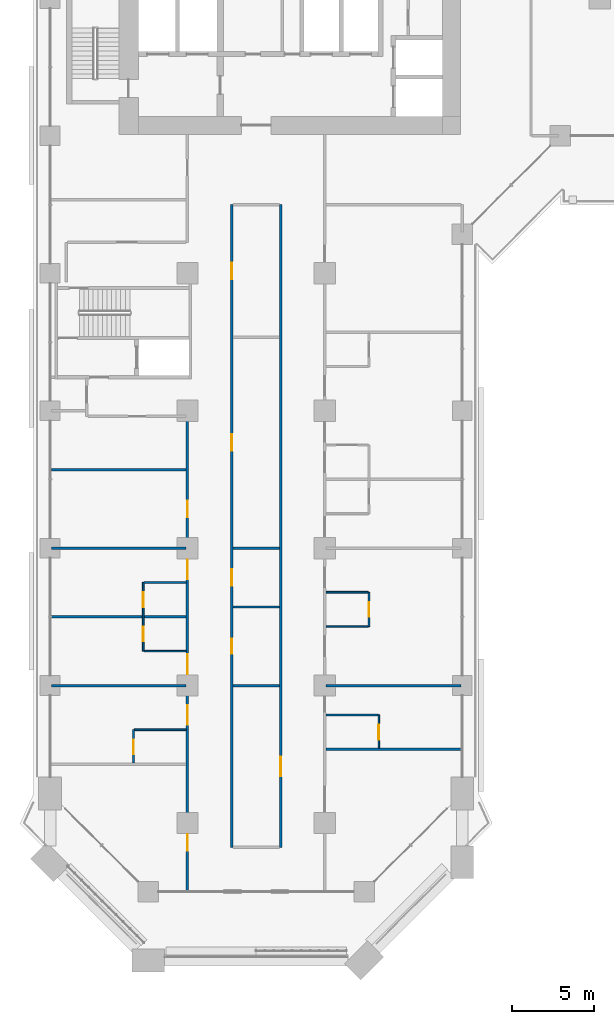
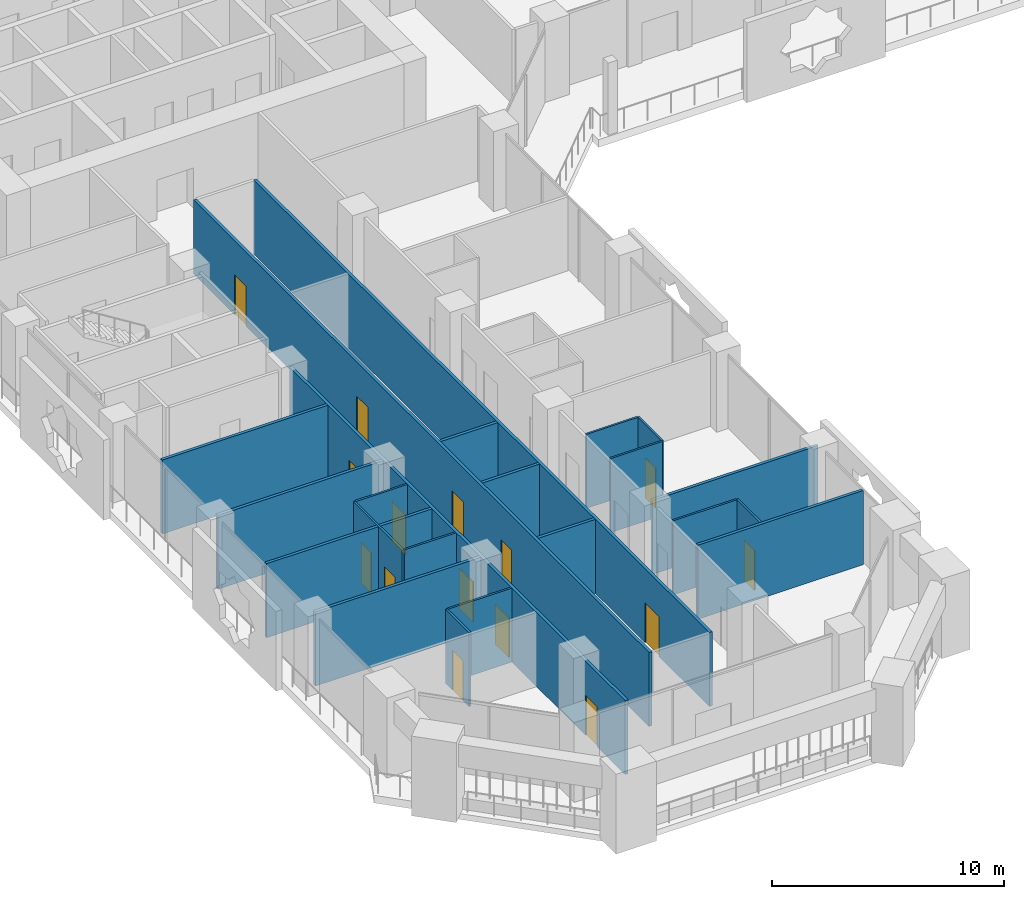
# One storey, part 13 of 26: 22 walls, 15 doors, 15 openings.
"""IFC4 building model written with IfcOpenShell, lengths in metres."""

from ifc_helpers import new_model, si_unit, direction, frame, frame_2d, origin, place, context, subcontext, project, spatial, rectangle, extrude, material, layer, layer_set, type_object, element, fill, save


model = new_model("IFC4")

# Units and contexts
model_context = context("Model", 3, precision=1e-05, world=origin(), true_north=direction((0.0, 1.0)))
body_context = subcontext(model_context, "Body", "Model", "MODEL_VIEW")
ifc_project = project(units=[si_unit("LENGTHUNIT", "METRE"), si_unit("AREAUNIT", "SQUARE_METRE"), si_unit("VOLUMEUNIT", "CUBIC_METRE"), si_unit("PLANEANGLEUNIT", "RADIAN"), si_unit("MASSUNIT", "GRAM", prefix="KILO")], contexts=[model_context])

# Site, building, storey
site_placement = place(None, origin())
site = spatial("IfcSite", under=ifc_project, at=site_placement, CompositionType="ELEMENT")
building_placement = place(site_placement, origin())
building = spatial("IfcBuilding", under=site, at=building_placement, Name="Kawkab Arch Medical Tower", CompositionType="ELEMENT")
storey_placement = place(building_placement, frame((0.0, 0.0, 51.800048828125)))
storey = spatial("IfcBuildingStorey", under=building, at=storey_placement, Name="L11", CompositionType="ELEMENT", Elevation=51.800048828125)

# Walls
ifc_material_1 = material(Name="Gypsum board partition on steel studs", Category="steel")
ifc_layer_1 = layer(ifc_material_1, 0.10009765625)
ifc_layer_set_1 = layer_set([ifc_layer_1], Name="Gypsum board partition on steel studs")
wall_type_1 = type_object("IfcWallType", Name="Partition 100", PredefinedType="PARTITIONING", material=ifc_layer_set_1)
for number, where, z_axis, x_axis, name in (
    (1, (5.14990234375, -61.5, 0.0), (0.0, 0.0, 1.0), (1.0, 0.0, 0.0), "Partition 100 w001"),
    (2, (16.875, -60.60009765625, 0.0), (0.0, 0.0, 1.0), (1.0, 0.0, 0.0), "Partition 100 w002"),
):
    element("IfcWall", number, at=place(storey_placement, frame(where, z_axis=z_axis, x_axis=x_axis)), inside=storey, type_object=wall_type_1, Name=name, PredefinedType="PARTITIONING", context=body_context, shape_type="SweptSolid", body=[
        extrude(rectangle(XDim=3.175048828125, YDim=0.10009765625, at=frame_2d((1.58740234375, 0.0))), origin(), (0.0, 0.0, 1.0), 3.89990234375),
    ])
wall_1_placement = place(storey_placement, frame((5.75, -56.699951171875, 0.0), z_axis=(0.0, 0.0, 1.0), x_axis=(1.0, 0.0, 0.0)))
element("IfcWall", 3, at=wall_1_placement, inside=storey, type_object=wall_type_1, Name="Partition 100 w003", PredefinedType="PARTITIONING", context=body_context, shape_type="SweptSolid", body=[
    extrude(rectangle(XDim=2.574951171875, YDim=0.10009765625, at=frame_2d((1.28759765625, 0.0))), origin(), (0.0, 0.0, 1.0), 3.89990234375),
])
wall_2_placement = place(storey_placement, frame((16.875, -55.199951171875, 0.0), z_axis=(0.0, 0.0, 1.0), x_axis=(1.0, 0.0, 0.0)))
element("IfcWall", 4, at=wall_2_placement, inside=storey, type_object=wall_type_1, Name="Partition 100 w004", PredefinedType="PARTITIONING", context=body_context, shape_type="SweptSolid", body=[
    extrude(rectangle(XDim=2.572998046875, YDim=0.10009765625, at=frame_2d((1.28662109375, 0.0))), origin(), (0.0, 0.0, 1.0), 3.89990234375),
])
wall_3_placement = place(storey_placement, frame((16.875, -53.10009765625, 0.0), z_axis=(0.0, 0.0, 1.0), x_axis=(1.0, 0.0, 0.0)))
element("IfcWall", 5, at=wall_3_placement, inside=storey, type_object=wall_type_1, Name="Partition 100 w005", PredefinedType="PARTITIONING", context=body_context, shape_type="SweptSolid", body=[
    extrude(rectangle(XDim=2.573974609375, YDim=0.10009765625, at=frame_2d((1.287109375, 0.0))), origin(), (0.0, 0.0, 1.0), 3.89990234375),
])
wall_4_placement = place(storey_placement, frame((5.75, -52.5, 0.0), z_axis=(0.0, 0.0, 1.0), x_axis=(1.0, 0.0, 0.0)))
element("IfcWall", 6, at=wall_4_placement, inside=storey, type_object=wall_type_1, Name="Partition 100 w006", PredefinedType="PARTITIONING", context=body_context, shape_type="SweptSolid", body=[
    extrude(rectangle(XDim=2.574951171875, YDim=0.10009765625, at=frame_2d((1.28759765625, 0.0))), origin(), (0.0, 0.0, 1.0), 3.89990234375),
])

# Wall, opening, door
wall_5_placement = place(storey_placement, frame((5.10009765625, -63.52490234375, 0.0), z_axis=(0.0, 0.0, 1.0), x_axis=(0.0, 1.0, 0.0)))
wall_5 = element("IfcWall", 7, at=wall_5_placement, inside=storey, type_object=wall_type_1, Name="Partition 100 w021", PredefinedType="PARTITIONING", context=body_context, shape_type="SweptSolid", body=[
    extrude(rectangle(XDim=2.02490234375, YDim=0.10009765625, at=frame_2d((1.012451171875, 0.0))), origin(), (0.0, 0.0, 1.0), 3.89990234375),
])
opening_1_placement = place(wall_5_placement, frame((0.52490234375, 0.0, 0.0)))
opening_1 = element("IfcOpeningElement", 8, at=opening_1_placement, cuts=wall_5, Name="Opening W11-020", PredefinedType="OPENING", context=body_context, shape_type="SweptSolid", body=[
    extrude(rectangle(XDim=0.89990234375, YDim=2.10009765625, at=frame_2d((0.449951171875, 1.050048828125))), frame((0.0, 0.06005859375, 0.0), z_axis=(0.0, -1.0, 0.0), x_axis=(1.0, 0.0, 0.0)), (0.0, 0.0, 1.0), 0.1201171875),
])
ifc_material_2 = material(Name="Timber door leaf", Category="wood")
door_type_1 = type_object("IfcDoorType", Name="Single door 900x2100", OperationType="NOTDEFINED", PredefinedType="DOOR", material=ifc_material_2)
door_1_placement = place(opening_1_placement, origin())
door_1 = element("IfcDoor", 9, at=door_1_placement, inside=storey, type_object=door_type_1, Name="Door W11-020", OperationType="SINGLE_SWING_LEFT", OverallHeight=2.10009765625, OverallWidth=0.89990234375, PredefinedType="DOOR", context=body_context, shape_type="SweptSolid", body=[
    extrude(rectangle(XDim=0.89990234375, YDim=2.10009765625, at=frame_2d((0.449951171875, 1.050048828125))), frame((0.0, 0.02490234375, 0.0), z_axis=(0.0, -1.0, 0.0), x_axis=(1.0, 0.0, 0.0)), (0.0, 0.0, 1.0), 0.050048828125),
])
fill(opening_1, door_1)

# Wall, openings, doors
wall_6_placement = place(storey_placement, frame((5.699951171875, -56.699951171875, 0.0), z_axis=(0.0, 0.0, 1.0), x_axis=(0.0, 1.0, 0.0)))
wall_6 = element("IfcWall", 10, at=wall_6_placement, inside=storey, type_object=wall_type_1, Name="Partition 100 w022", PredefinedType="PARTITIONING", context=body_context, shape_type="SweptSolid", body=[
    extrude(rectangle(XDim=4.199951171875, YDim=0.10009765625, at=frame_2d((2.10009765625, 0.0))), origin(), (0.0, 0.0, 1.0), 3.89990234375),
])
opening_2_placement = place(wall_6_placement, frame((2.699951171875, 0.0, 0.0)))
opening_2 = element("IfcOpeningElement", 11, at=opening_2_placement, cuts=wall_6, Name="Opening W11-018", PredefinedType="OPENING", context=body_context, shape_type="SweptSolid", body=[
    extrude(rectangle(XDim=0.89990234375, YDim=2.10009765625, at=frame_2d((0.449951171875, 1.050048828125))), frame((0.0, 0.06005859375, 0.0), z_axis=(0.0, -1.0, 0.0), x_axis=(1.0, 0.0, 0.0)), (0.0, 0.0, 1.0), 0.1201171875),
])
opening_3_placement = place(wall_6_placement, frame((0.60009765625, 0.0, 0.0)))
opening_3 = element("IfcOpeningElement", 12, at=opening_3_placement, cuts=wall_6, Name="Opening W11-019", PredefinedType="OPENING", context=body_context, shape_type="SweptSolid", body=[
    extrude(rectangle(XDim=0.89990234375, YDim=2.10009765625, at=frame_2d((0.449951171875, 1.050048828125))), frame((0.0, 0.06005859375, 0.0), z_axis=(0.0, -1.0, 0.0), x_axis=(1.0, 0.0, 0.0)), (0.0, 0.0, 1.0), 0.1201171875),
])
door_2_placement = place(opening_2_placement, origin())
door_2 = element("IfcDoor", 13, at=door_2_placement, inside=storey, type_object=door_type_1, Name="Door W11-018", OperationType="SINGLE_SWING_RIGHT", OverallHeight=2.10009765625, OverallWidth=0.89990234375, PredefinedType="DOOR", context=body_context, shape_type="SweptSolid", body=[
    extrude(rectangle(XDim=0.89990234375, YDim=2.10009765625, at=frame_2d((0.449951171875, 1.050048828125))), frame((0.0, 0.02490234375, 0.0), z_axis=(0.0, -1.0, 0.0), x_axis=(1.0, 0.0, 0.0)), (0.0, 0.0, 1.0), 0.050048828125),
])
fill(opening_2, door_2)
door_3_placement = place(opening_3_placement, origin())
door_3 = element("IfcDoor", 14, at=door_3_placement, inside=storey, type_object=door_type_1, Name="Door W11-019", OperationType="SINGLE_SWING_LEFT", OverallHeight=2.10009765625, OverallWidth=0.89990234375, PredefinedType="DOOR", context=body_context, shape_type="SweptSolid", body=[
    extrude(rectangle(XDim=0.89990234375, YDim=2.10009765625, at=frame_2d((0.449951171875, 1.050048828125))), frame((0.0, 0.02490234375, 0.0), z_axis=(0.0, -1.0, 0.0), x_axis=(1.0, 0.0, 0.0)), (0.0, 0.0, 1.0), 0.050048828125),
])
fill(opening_3, door_3)

# Wall, opening, door
wall_7_placement = place(storey_placement, frame((19.5, -55.197998046875, 0.0), z_axis=(0.0, 0.0, 1.0), x_axis=(0.0, 1.0, 0.0)))
wall_7 = element("IfcWall", 15, at=wall_7_placement, inside=storey, type_object=wall_type_1, Name="Partition 100 w023", PredefinedType="PARTITIONING", context=body_context, shape_type="SweptSolid", body=[
    extrude(rectangle(XDim=2.095947265625, YDim=0.10009765625, at=frame_2d((1.0478515625, 0.0))), origin(), (0.0, 0.0, 1.0), 3.89990234375),
])
opening_4_placement = place(wall_7_placement, frame((0.597900390625, 0.0, 0.0)))
opening_4 = element("IfcOpeningElement", 16, at=opening_4_placement, cuts=wall_7, Name="Opening W11-024", PredefinedType="OPENING", context=body_context, shape_type="SweptSolid", body=[
    extrude(rectangle(XDim=0.89990234375, YDim=2.10009765625, at=frame_2d((0.449951171875, 1.050048828125))), frame((0.0, 0.06005859375, 0.0), z_axis=(0.0, -1.0, 0.0), x_axis=(1.0, 0.0, 0.0)), (0.0, 0.0, 1.0), 0.1201171875),
])
door_4_placement = place(opening_4_placement, origin())
door_4 = element("IfcDoor", 17, at=door_4_placement, inside=storey, type_object=door_type_1, Name="Door W11-024", OperationType="SINGLE_SWING_LEFT", OverallHeight=2.10009765625, OverallWidth=0.89990234375, PredefinedType="DOOR", context=body_context, shape_type="SweptSolid", body=[
    extrude(rectangle(XDim=0.89990234375, YDim=2.10009765625, at=frame_2d((0.449951171875, 1.050048828125))), frame((0.0, 0.02490234375, 0.0), z_axis=(0.0, -1.0, 0.0), x_axis=(1.0, 0.0, 0.0)), (0.0, 0.0, 1.0), 0.050048828125),
])
fill(opening_4, door_4)

wall_8_placement = place(storey_placement, frame((20.10009765625, -62.625, 0.0), z_axis=(0.0, 0.0, 1.0), x_axis=(0.0, 1.0, 0.0)))
wall_8 = element("IfcWall", 18, at=wall_8_placement, inside=storey, type_object=wall_type_1, Name="Partition 100 w026", PredefinedType="PARTITIONING", context=body_context, shape_type="SweptSolid", body=[
    extrude(rectangle(XDim=2.02490234375, YDim=0.10009765625, at=frame_2d((1.012451171875, 0.0))), origin(), (0.0, 0.0, 1.0), 3.89990234375),
])
opening_5_placement = place(wall_8_placement, frame((0.52490234375, 0.0, 0.0)))
opening_5 = element("IfcOpeningElement", 19, at=opening_5_placement, cuts=wall_8, Name="Opening W11-025", PredefinedType="OPENING", context=body_context, shape_type="SweptSolid", body=[
    extrude(rectangle(XDim=0.89990234375, YDim=2.10009765625, at=frame_2d((0.449951171875, 1.050048828125))), frame((0.0, 0.06005859375, 0.0), z_axis=(0.0, -1.0, 0.0), x_axis=(1.0, 0.0, 0.0)), (0.0, 0.0, 1.0), 0.1201171875),
])
door_5_placement = place(opening_5_placement, origin())
door_5 = element("IfcDoor", 20, at=door_5_placement, inside=storey, type_object=door_type_1, Name="Door W11-025", OperationType="SINGLE_SWING_LEFT", OverallHeight=2.10009765625, OverallWidth=0.89990234375, PredefinedType="DOOR", context=body_context, shape_type="SweptSolid", body=[
    extrude(rectangle(XDim=0.89990234375, YDim=2.10009765625, at=frame_2d((0.449951171875, 1.050048828125))), frame((0.0, 0.02490234375, 0.0), z_axis=(0.0, -1.0, 0.0), x_axis=(1.0, 0.0, 0.0)), (0.0, 0.0, 1.0), 0.050048828125),
])
fill(opening_5, door_5)

# Walls
ifc_material_3 = material(Name="Gypsum board partition on steel studs, mineral wool", Category="steel")
ifc_layer_2 = layer(ifc_material_3, 0.14990234375)
ifc_layer_set_2 = layer_set([ifc_layer_2], Name="Gypsum board partition on steel studs, mineral wool")
wall_type_2 = type_object("IfcWallType", Name="Partition 150", PredefinedType="PARTITIONING", material=ifc_layer_set_2)
wall_9_placement = place(storey_placement, frame((16.875, -62.699951171875, 0.0), z_axis=(0.0, 0.0, 1.0), x_axis=(1.0, 0.0, 0.0)))
element("IfcWall", 21, at=wall_9_placement, inside=storey, type_object=wall_type_2, Name="Partition 150 w041", PredefinedType="PARTITIONING", context=body_context, shape_type="SweptSolid", body=[
    extrude(rectangle(XDim=8.2451171875, YDim=0.14990234375, at=frame_2d((4.12255859375, 0.0))), origin(), (0.0, 0.0, 1.0), 3.89990234375),
])
wall_10_placement = place(storey_placement, frame((0.080078125, -58.800048828125, 0.0), z_axis=(0.0, 0.0, 1.0), x_axis=(1.0, 0.0, 0.0)))
element("IfcWall", 22, at=wall_10_placement, inside=storey, type_object=wall_type_2, Name="Partition 150 w042", PredefinedType="PARTITIONING", context=body_context, shape_type="SweptSolid", body=[
    extrude(rectangle(XDim=8.244873046875, YDim=0.14990234375, at=frame_2d((4.12255859375, 0.0))), origin(), (0.0, 0.0, 1.0), 3.89990234375),
])
wall_11_placement = place(storey_placement, frame((11.175048828125, -58.800048828125, 0.0), z_axis=(0.0, 0.0, 1.0), x_axis=(1.0, 0.0, 0.0)))
element("IfcWall", 23, at=wall_11_placement, inside=storey, type_object=wall_type_2, Name="Partition 150 w043", PredefinedType="PARTITIONING", context=body_context, shape_type="SweptSolid", body=[
    extrude(rectangle(XDim=2.849853515625, YDim=0.14990234375, at=frame_2d((1.4248046875, 0.0))), origin(), (0.0, 0.0, 1.0), 3.89990234375),
])
wall_12_placement = place(storey_placement, frame((16.875, -58.800048828125, 0.0), z_axis=(0.0, 0.0, 1.0), x_axis=(1.0, 0.0, 0.0)))
element("IfcWall", 24, at=wall_12_placement, inside=storey, type_object=wall_type_2, Name="Partition 150 w044", PredefinedType="PARTITIONING", context=body_context, shape_type="SweptSolid", body=[
    extrude(rectangle(XDim=8.2451171875, YDim=0.14990234375, at=frame_2d((4.12255859375, 0.0))), origin(), (0.0, 0.0, 1.0), 3.89990234375),
])
wall_13_placement = place(storey_placement, frame((0.080078125, -54.60009765625, 0.0), z_axis=(0.0, 0.0, 1.0), x_axis=(1.0, 0.0, 0.0)))
element("IfcWall", 25, at=wall_13_placement, inside=storey, type_object=wall_type_2, Name="Partition 150 w045", PredefinedType="PARTITIONING", context=body_context, shape_type="SweptSolid", body=[
    extrude(rectangle(XDim=8.244873046875, YDim=0.14990234375, at=frame_2d((4.12255859375, 0.0))), origin(), (0.0, 0.0, 1.0), 3.89990234375),
])
wall_14_placement = place(storey_placement, frame((11.175048828125, -54.0, 0.0), z_axis=(0.0, 0.0, 1.0), x_axis=(1.0, 0.0, 0.0)))
element("IfcWall", 26, at=wall_14_placement, inside=storey, type_object=wall_type_2, Name="Partition 150 w046", PredefinedType="PARTITIONING", context=body_context, shape_type="SweptSolid", body=[
    extrude(rectangle(XDim=2.849853515625, YDim=0.14990234375, at=frame_2d((1.4248046875, 0.0))), origin(), (0.0, 0.0, 1.0), 3.89990234375),
])
wall_15_placement = place(storey_placement, frame((0.080078125, -50.39990234375, 0.0), z_axis=(0.0, 0.0, 1.0), x_axis=(1.0, 0.0, 0.0)))
element("IfcWall", 27, at=wall_15_placement, inside=storey, type_object=wall_type_2, Name="Partition 150 w047", PredefinedType="PARTITIONING", context=body_context, shape_type="SweptSolid", body=[
    extrude(rectangle(XDim=8.244873046875, YDim=0.14990234375, at=frame_2d((4.12255859375, 0.0))), origin(), (0.0, 0.0, 1.0), 3.89990234375),
])
wall_16_placement = place(storey_placement, frame((11.175048828125, -50.39990234375, 0.0), z_axis=(0.0, 0.0, 1.0), x_axis=(1.0, 0.0, 0.0)))
element("IfcWall", 28, at=wall_16_placement, inside=storey, type_object=wall_type_2, Name="Partition 150 w048", PredefinedType="PARTITIONING", context=body_context, shape_type="SweptSolid", body=[
    extrude(rectangle(XDim=2.849853515625, YDim=0.14990234375, at=frame_2d((1.4248046875, 0.0))), origin(), (0.0, 0.0, 1.0), 3.89990234375),
])
wall_17_placement = place(storey_placement, frame((0.080078125, -45.60009765625, 0.0), z_axis=(0.0, 0.0, 1.0), x_axis=(1.0, 0.0, 0.0)))
element("IfcWall", 29, at=wall_17_placement, inside=storey, type_object=wall_type_2, Name="Partition 150 w051", PredefinedType="PARTITIONING", context=body_context, shape_type="SweptSolid", body=[
    extrude(rectangle(XDim=8.244873046875, YDim=0.14990234375, at=frame_2d((4.12255859375, 0.0))), origin(), (0.0, 0.0, 1.0), 3.89990234375),
])

# Wall, openings, doors
wall_18_placement = place(storey_placement, frame((8.39990234375, -71.320068359375, 0.0), z_axis=(0.0, 0.0, 1.0), x_axis=(0.0, 1.0, 0.0)))
wall_18 = element("IfcWall", 30, at=wall_18_placement, inside=storey, type_object=wall_type_2, Name="Partition 150 w073", PredefinedType="PARTITIONING", context=body_context, shape_type="SweptSolid", body=[
    extrude(rectangle(XDim=28.969970703125, YDim=0.14990234375, at=frame_2d((14.48486328125, 0.0))), origin(), (0.0, 0.0, 1.0), 3.89990234375),
])
opening_6_placement = place(wall_18_placement, frame((22.820068359375, 0.0, 0.0)))
opening_6 = element("IfcOpeningElement", 31, at=opening_6_placement, cuts=wall_18, Name="Opening W11-035", PredefinedType="OPENING", context=body_context, shape_type="SweptSolid", body=[
    extrude(rectangle(XDim=1.0, YDim=2.10009765625, at=frame_2d((0.5, 1.050048828125))), frame((0.0, 0.0849609375, 0.0), z_axis=(0.0, -1.0, 0.0), x_axis=(1.0, 0.0, 0.0)), (0.0, 0.0, 1.0), 0.169921875),
])
opening_7_placement = place(wall_18_placement, frame((19.02001953125, 0.0, 0.0)))
opening_7 = element("IfcOpeningElement", 32, at=opening_7_placement, cuts=wall_18, Name="Opening W11-063", PredefinedType="OPENING", context=body_context, shape_type="SweptSolid", body=[
    extrude(rectangle(XDim=1.199951171875, YDim=2.10009765625, at=frame_2d((0.60009765625, 1.050048828125))), frame((0.0, 0.0849609375, 0.0), z_axis=(0.0, -1.0, 0.0), x_axis=(1.0, 0.0, 0.0)), (0.0, 0.0, 1.0), 0.169921875),
])
opening_8_placement = place(wall_18_placement, frame((13.219970703125, 0.0, 0.0)))
opening_8 = element("IfcOpeningElement", 33, at=opening_8_placement, cuts=wall_18, Name="Opening W11-064", PredefinedType="OPENING", context=body_context, shape_type="SweptSolid", body=[
    extrude(rectangle(XDim=1.199951171875, YDim=2.10009765625, at=frame_2d((0.60009765625, 1.050048828125))), frame((0.0, 0.0849609375, 0.0), z_axis=(0.0, -1.0, 0.0), x_axis=(1.0, 0.0, 0.0)), (0.0, 0.0, 1.0), 0.169921875),
])
opening_9_placement = place(wall_18_placement, frame((10.1201171875, 0.0, 0.0)))
opening_9 = element("IfcOpeningElement", 34, at=opening_9_placement, cuts=wall_18, Name="Opening W11-065", PredefinedType="OPENING", context=body_context, shape_type="SweptSolid", body=[
    extrude(rectangle(XDim=1.199951171875, YDim=2.10009765625, at=frame_2d((0.60009765625, 1.050048828125))), frame((0.0, 0.0849609375, 0.0), z_axis=(0.0, -1.0, 0.0), x_axis=(1.0, 0.0, 0.0)), (0.0, 0.0, 1.0), 0.169921875),
])
opening_10_placement = place(wall_18_placement, frame((2.419921875, 0.0, 0.0)))
opening_10 = element("IfcOpeningElement", 35, at=opening_10_placement, cuts=wall_18, Name="Opening W11-036", PredefinedType="OPENING", context=body_context, shape_type="SweptSolid", body=[
    extrude(rectangle(XDim=1.0, YDim=2.10009765625, at=frame_2d((0.5, 1.050048828125))), frame((0.0, 0.0849609375, 0.0), z_axis=(0.0, -1.0, 0.0), x_axis=(1.0, 0.0, 0.0)), (0.0, 0.0, 1.0), 0.169921875),
])
ifc_material_4 = material(Name="Hollow metal door leaf")
door_type_2 = type_object("IfcDoorType", Name="Single door 1000x2100 FD30S", OperationType="NOTDEFINED", PredefinedType="DOOR", material=ifc_material_4)
door_6_placement = place(opening_6_placement, origin())
door_6 = element("IfcDoor", 36, at=door_6_placement, inside=storey, type_object=door_type_2, Name="Door W11-035", OperationType="SINGLE_SWING_RIGHT", OverallHeight=2.10009765625, OverallWidth=1.0, PredefinedType="DOOR", context=body_context, shape_type="SweptSolid", body=[
    extrude(rectangle(XDim=1.0, YDim=2.10009765625, at=frame_2d((0.5, 1.050048828125))), frame((0.0, 0.02490234375, 0.0), z_axis=(0.0, -1.0, 0.0), x_axis=(1.0, 0.0, 0.0)), (0.0, 0.0, 1.0), 0.050048828125),
])
fill(opening_6, door_6)
door_7_placement = place(opening_10_placement, origin())
door_7 = element("IfcDoor", 37, at=door_7_placement, inside=storey, type_object=door_type_2, Name="Door W11-036", OperationType="SINGLE_SWING_LEFT", OverallHeight=2.10009765625, OverallWidth=1.0, PredefinedType="DOOR", context=body_context, shape_type="SweptSolid", body=[
    extrude(rectangle(XDim=1.0, YDim=2.10009765625, at=frame_2d((0.5, 1.050048828125))), frame((0.0, 0.02490234375, 0.0), z_axis=(0.0, -1.0, 0.0), x_axis=(1.0, 0.0, 0.0)), (0.0, 0.0, 1.0), 0.050048828125),
])
fill(opening_10, door_7)
ifc_material_5 = material(Name="Hollow metal door leaf")
door_type_3 = type_object("IfcDoorType", Name="Single door 1200x2100 FD30S", OperationType="NOTDEFINED", PredefinedType="DOOR", material=ifc_material_5)
door_8_placement = place(opening_7_placement, origin())
door_8 = element("IfcDoor", 38, at=door_8_placement, inside=storey, type_object=door_type_3, Name="Door W11-063", OperationType="SINGLE_SWING_RIGHT", OverallHeight=2.10009765625, OverallWidth=1.199951171875, PredefinedType="DOOR", context=body_context, shape_type="SweptSolid", body=[
    extrude(rectangle(XDim=1.199951171875, YDim=2.10009765625, at=frame_2d((0.60009765625, 1.050048828125))), frame((0.0, 0.02490234375, 0.0), z_axis=(0.0, -1.0, 0.0), x_axis=(1.0, 0.0, 0.0)), (0.0, 0.0, 1.0), 0.050048828125),
])
fill(opening_7, door_8)
door_9_placement = place(opening_8_placement, origin())
door_9 = element("IfcDoor", 39, at=door_9_placement, inside=storey, type_object=door_type_3, Name="Door W11-064", OperationType="SINGLE_SWING_LEFT", OverallHeight=2.10009765625, OverallWidth=1.199951171875, PredefinedType="DOOR", context=body_context, shape_type="SweptSolid", body=[
    extrude(rectangle(XDim=1.199951171875, YDim=2.10009765625, at=frame_2d((0.60009765625, 1.050048828125))), frame((0.0, 0.02490234375, 0.0), z_axis=(0.0, -1.0, 0.0), x_axis=(1.0, 0.0, 0.0)), (0.0, 0.0, 1.0), 0.050048828125),
])
fill(opening_8, door_9)
door_10_placement = place(opening_9_placement, origin())
door_10 = element("IfcDoor", 40, at=door_10_placement, inside=storey, type_object=door_type_3, Name="Door W11-065", OperationType="SINGLE_SWING_LEFT", OverallHeight=2.10009765625, OverallWidth=1.199951171875, PredefinedType="DOOR", context=body_context, shape_type="SweptSolid", body=[
    extrude(rectangle(XDim=1.199951171875, YDim=2.10009765625, at=frame_2d((0.60009765625, 1.050048828125))), frame((0.0, 0.02490234375, 0.0), z_axis=(0.0, -1.0, 0.0), x_axis=(1.0, 0.0, 0.0)), (0.0, 0.0, 1.0), 0.050048828125),
])
fill(opening_9, door_10)

wall_19_placement = place(storey_placement, frame((11.10009765625, -68.699951171875, 0.0), z_axis=(0.0, 0.0, 1.0), x_axis=(0.0, 1.0, 0.0)))
wall_19 = element("IfcWall", 41, at=wall_19_placement, inside=storey, type_object=wall_type_2, Name="Partition 150 w075", PredefinedType="PARTITIONING", context=body_context, shape_type="SweptSolid", body=[
    extrude(rectangle(XDim=39.300048828125, YDim=0.14990234375, at=frame_2d((19.64990234375, 0.0))), origin(), (0.0, 0.0, 1.0), 3.89990234375),
])
opening_11_placement = place(wall_19_placement, frame((34.75, 0.0, 0.0)))
opening_11 = element("IfcOpeningElement", 42, at=opening_11_placement, cuts=wall_19, Name="Opening W11-037", PredefinedType="OPENING", context=body_context, shape_type="SweptSolid", body=[
    extrude(rectangle(XDim=1.0, YDim=2.10009765625, at=frame_2d((0.5, 1.050048828125))), frame((0.0, 0.0849609375, 0.0), z_axis=(0.0, -1.0, 0.0), x_axis=(1.0, 0.0, 0.0)), (0.0, 0.0, 1.0), 0.169921875),
])
opening_12_placement = place(wall_19_placement, frame((24.25, 0.0, 0.0)))
opening_12 = element("IfcOpeningElement", 43, at=opening_12_placement, cuts=wall_19, Name="Opening W11-038", PredefinedType="OPENING", context=body_context, shape_type="SweptSolid", body=[
    extrude(rectangle(XDim=1.0, YDim=2.10009765625, at=frame_2d((0.5, 1.050048828125))), frame((0.0, 0.0849609375, 0.0), z_axis=(0.0, -1.0, 0.0), x_axis=(1.0, 0.0, 0.0)), (0.0, 0.0, 1.0), 0.169921875),
])
opening_13_placement = place(wall_19_placement, frame((16.0, 0.0, 0.0)))
opening_13 = element("IfcOpeningElement", 44, at=opening_13_placement, cuts=wall_19, Name="Opening W11-039", PredefinedType="OPENING", context=body_context, shape_type="SweptSolid", body=[
    extrude(rectangle(XDim=1.0, YDim=2.10009765625, at=frame_2d((0.5, 1.050048828125))), frame((0.0, 0.0849609375, 0.0), z_axis=(0.0, -1.0, 0.0), x_axis=(1.0, 0.0, 0.0)), (0.0, 0.0, 1.0), 0.169921875),
])
opening_14_placement = place(wall_19_placement, frame((11.85009765625, 0.0, 0.0)))
opening_14 = element("IfcOpeningElement", 45, at=opening_14_placement, cuts=wall_19, Name="Opening W11-021", PredefinedType="OPENING", context=body_context, shape_type="SweptSolid", body=[
    extrude(rectangle(XDim=0.89990234375, YDim=2.10009765625, at=frame_2d((0.449951171875, 1.050048828125))), frame((0.0, 0.0849609375, 0.0), z_axis=(0.0, -1.0, 0.0), x_axis=(1.0, 0.0, 0.0)), (0.0, 0.0, 1.0), 0.169921875),
])
door_11_placement = place(opening_11_placement, origin())
door_11 = element("IfcDoor", 46, at=door_11_placement, inside=storey, type_object=door_type_2, Name="Door W11-037", OperationType="SINGLE_SWING_LEFT", OverallHeight=2.10009765625, OverallWidth=1.0, PredefinedType="DOOR", context=body_context, shape_type="SweptSolid", body=[
    extrude(rectangle(XDim=1.0, YDim=2.10009765625, at=frame_2d((0.5, 1.050048828125))), frame((0.0, 0.02490234375, 0.0), z_axis=(0.0, -1.0, 0.0), x_axis=(1.0, 0.0, 0.0)), (0.0, 0.0, 1.0), 0.050048828125),
])
fill(opening_11, door_11)
door_12_placement = place(opening_12_placement, origin())
door_12 = element("IfcDoor", 47, at=door_12_placement, inside=storey, type_object=door_type_2, Name="Door W11-038", OperationType="SINGLE_SWING_LEFT", OverallHeight=2.10009765625, OverallWidth=1.0, PredefinedType="DOOR", context=body_context, shape_type="SweptSolid", body=[
    extrude(rectangle(XDim=1.0, YDim=2.10009765625, at=frame_2d((0.5, 1.050048828125))), frame((0.0, 0.02490234375, 0.0), z_axis=(0.0, -1.0, 0.0), x_axis=(1.0, 0.0, 0.0)), (0.0, 0.0, 1.0), 0.050048828125),
])
fill(opening_12, door_12)
door_13_placement = place(opening_13_placement, origin())
door_13 = element("IfcDoor", 48, at=door_13_placement, inside=storey, type_object=door_type_2, Name="Door W11-039", OperationType="SINGLE_SWING_RIGHT", OverallHeight=2.10009765625, OverallWidth=1.0, PredefinedType="DOOR", context=body_context, shape_type="SweptSolid", body=[
    extrude(rectangle(XDim=1.0, YDim=2.10009765625, at=frame_2d((0.5, 1.050048828125))), frame((0.0, 0.02490234375, 0.0), z_axis=(0.0, -1.0, 0.0), x_axis=(1.0, 0.0, 0.0)), (0.0, 0.0, 1.0), 0.050048828125),
])
fill(opening_13, door_13)
door_14_placement = place(opening_14_placement, origin())
door_14 = element("IfcDoor", 49, at=door_14_placement, inside=storey, type_object=door_type_1, Name="Door W11-021", OperationType="SINGLE_SWING_RIGHT", OverallHeight=2.10009765625, OverallWidth=0.89990234375, PredefinedType="DOOR", context=body_context, shape_type="SweptSolid", body=[
    extrude(rectangle(XDim=0.89990234375, YDim=2.10009765625, at=frame_2d((0.449951171875, 1.050048828125))), frame((0.0, 0.02490234375, 0.0), z_axis=(0.0, -1.0, 0.0), x_axis=(1.0, 0.0, 0.0)), (0.0, 0.0, 1.0), 0.050048828125),
])
fill(opening_14, door_14)

# Wall, opening, door
wall_20_placement = place(storey_placement, frame((14.10009765625, -68.699951171875, 0.0), z_axis=(0.0, 0.0, 1.0), x_axis=(0.0, 1.0, 0.0)))
wall_20 = element("IfcWall", 50, at=wall_20_placement, inside=storey, type_object=wall_type_2, Name="Partition 150 w076", PredefinedType="PARTITIONING", context=body_context, shape_type="SweptSolid", body=[
    extrude(rectangle(XDim=39.300048828125, YDim=0.14990234375, at=frame_2d((19.64990234375, 0.0))), origin(), (0.0, 0.0, 1.0), 3.89990234375),
])
opening_15_placement = place(wall_20_placement, frame((4.35009765625, 0.0, 0.0)))
opening_15 = element("IfcOpeningElement", 51, at=opening_15_placement, cuts=wall_20, Name="Opening W11-066", PredefinedType="OPENING", context=body_context, shape_type="SweptSolid", body=[
    extrude(rectangle(XDim=1.199951171875, YDim=2.10009765625, at=frame_2d((0.60009765625, 1.050048828125))), frame((0.0, 0.0849609375, 0.0), z_axis=(0.0, -1.0, 0.0), x_axis=(1.0, 0.0, 0.0)), (0.0, 0.0, 1.0), 0.169921875),
])
door_15_placement = place(opening_15_placement, origin())
door_15 = element("IfcDoor", 52, at=door_15_placement, inside=storey, type_object=door_type_3, Name="Door W11-066", OperationType="SINGLE_SWING_LEFT", OverallHeight=2.10009765625, OverallWidth=1.199951171875, PredefinedType="DOOR", context=body_context, shape_type="SweptSolid", body=[
    extrude(rectangle(XDim=1.199951171875, YDim=2.10009765625, at=frame_2d((0.60009765625, 1.050048828125))), frame((0.0, 0.02490234375, 0.0), z_axis=(0.0, -1.0, 0.0), x_axis=(1.0, 0.0, 0.0)), (0.0, 0.0, 1.0), 0.050048828125),
])
fill(opening_15, door_15)

save(model, "model.ifc")
